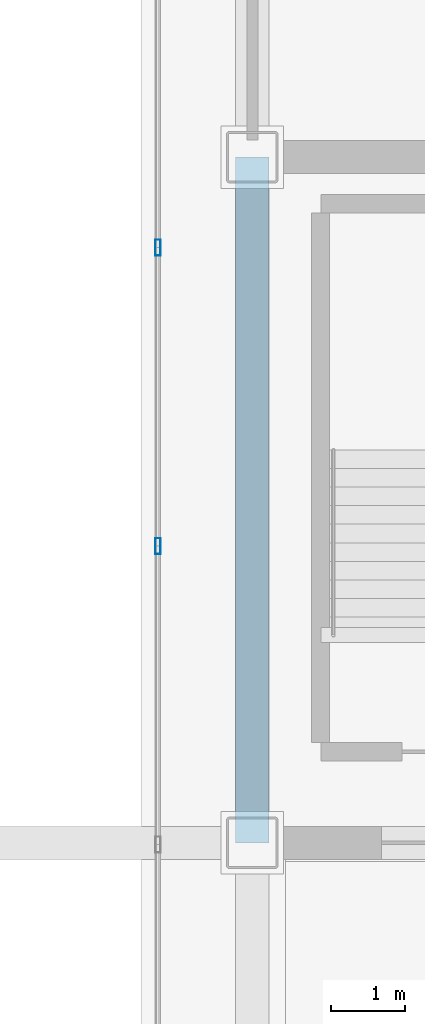
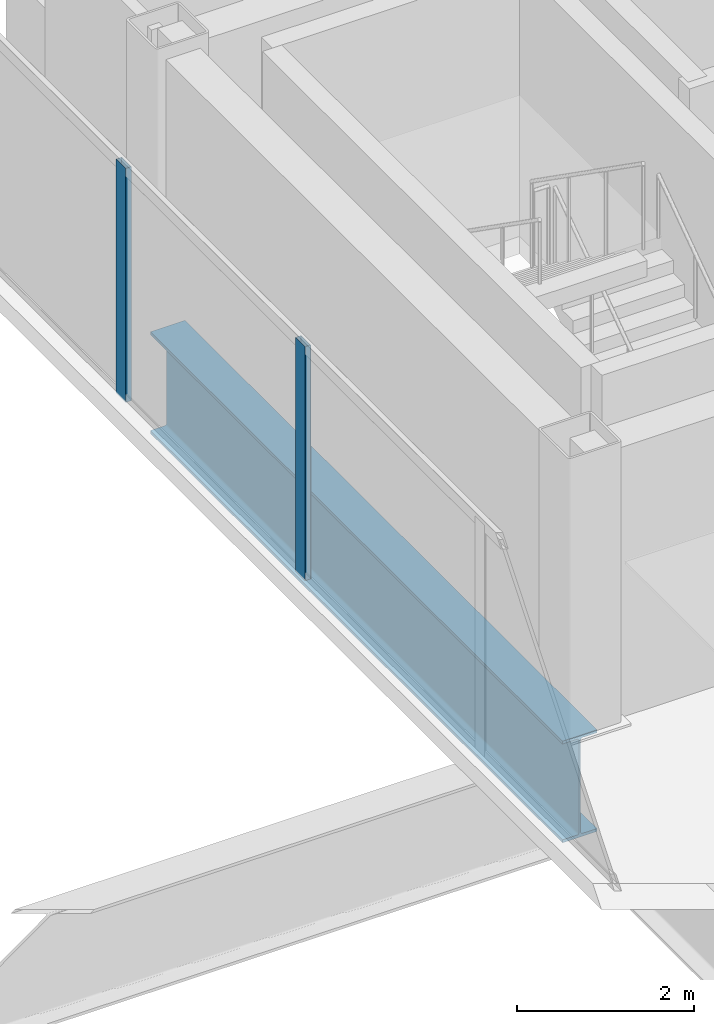
# One storey, part 9 of 17: 2 members, 1 beam, 1 element without a shape of its own.
"""IFC4 building model written with IfcOpenShell, lengths in metres."""

from ifc_helpers import new_model, si_unit, direction, frame, origin, origin_2d, place, context, subcontext, project, spatial, hollow_rectangle, i_section, extrude, material, material_profile, profile_set, type_object, element, aggregate, save


model = new_model("IFC4")

# Units and contexts
model_context = context("Model", 3, precision=1e-05, world=origin(), true_north=direction((0.0, 1.0)))
body_context = subcontext(model_context, "Body", "Model", "MODEL_VIEW")
ifc_project = project(units=[si_unit("LENGTHUNIT", "METRE"), si_unit("AREAUNIT", "SQUARE_METRE"), si_unit("VOLUMEUNIT", "CUBIC_METRE"), si_unit("PLANEANGLEUNIT", "RADIAN"), si_unit("MASSUNIT", "GRAM", prefix="KILO")], contexts=[model_context])

# Site, building, storey
site_placement = place(None, origin())
site = spatial("IfcSite", under=ifc_project, at=site_placement, CompositionType="ELEMENT")
building_placement = place(site_placement, origin())
building = spatial("IfcBuilding", under=site, at=building_placement, Name="Noeulbin Bourse Tower", CompositionType="ELEMENT")
storey_placement = place(building_placement, frame((0.0, 0.0, 281.300048828125)))
storey = spatial("IfcBuildingStorey", under=building, at=storey_placement, Name="L70", CompositionType="ELEMENT", Elevation=281.300048828125)

# Beam
ifc_material_1 = material(Name="Steel S460", Category="steel")
ifc_material_profile_1 = material_profile(ifc_material_1, i_section(OverallWidth=0.449951171875, OverallDepth=1.39990234375, WebThickness=0.02392578125, FlangeThickness=0.0400390625, FilletRadius=0.02392578125, at=origin_2d()), Name="PG-1400x450x24x40", Category="LoadBearing")
ifc_profile_set_1 = profile_set([ifc_material_profile_1], Name="Steel S460")
beam_type = type_object("IfcBeamType", Name="BM-TRF-1400", PredefinedType="USERDEFINED", material=ifc_profile_set_1)
beam_placement = place(storey_placement, frame((13.5, 29.0, -0.93994140625), z_axis=(0.0, 1.0, 0.0), x_axis=(-1.0, 0.0, 0.0)))
element("IfcBeam", 1, at=beam_placement, inside=storey, type_object=beam_type, Name="Tower Primary Girder NS L70-1.2", ObjectType="GIRDER", PredefinedType="USERDEFINED", context=body_context, shape_type="SweptSolid", body=[
    extrude(i_section(OverallWidth=0.449951171875, OverallDepth=1.39990234375, WebThickness=0.02392578125, FlangeThickness=0.0400390625, FilletRadius=0.02392578125, at=origin_2d()), origin(), (0.0, 0.0, 1.0), 9.300048828125),
])

# Curtain wall, members
ifc_material_2 = material(Name="High-Selectivity Low-Iron Glazing", Category="glass")
curtain_wall_type = type_object("IfcCurtainWallType", Name="CW-SYS-4", PredefinedType="NOTDEFINED", material=ifc_material_2)
curtain_wall_placement = place(storey_placement, origin())
curtain_wall = element("IfcCurtainWall", 2, at=curtain_wall_placement, inside=storey, type_object=curtain_wall_type, Name="Unitised Curtain Wall CW-L70-W", PredefinedType="NOTDEFINED")
ifc_material_3 = material(Name="Anodised Aluminium 6063-T6", Category="aluminium")
ifc_material_profile_2 = material_profile(ifc_material_3, hollow_rectangle(XDim=0.074951171875, YDim=0.219970703125, WallThickness=0.0048828125, InnerFilletRadius=0.00244140625, OuterFilletRadius=0.0048828125, at=origin_2d()), Name="ALU-MULL-75x220x5", Category="LoadBearing")
ifc_profile_set_2 = profile_set([ifc_material_profile_2], Name="Anodised Aluminium 6063-T6")
member_type = type_object("IfcMemberType", Name="CW-SYS-4-MUL", PredefinedType="MULLION", material=ifc_profile_set_2)
member_1_placement = place(storey_placement, frame((12.219970703125, 33.02392578125, -0.02001953125), z_axis=(0.0, 0.0, 1.0), x_axis=(1.0, 0.0, 0.0)))
member_1 = element("IfcMember", 3, at=member_1_placement, type_object=member_type, Name="Curtain Wall Mullion CW-L70-W-M03", PredefinedType="MULLION", context=body_context, shape_type="SweptSolid", body=[
    extrude(hollow_rectangle(XDim=0.074951171875, YDim=0.219970703125, WallThickness=0.0048828125, InnerFilletRadius=0.00244140625, OuterFilletRadius=0.0048828125, at=origin_2d()), origin(), (0.0, 0.0, 1.0), 3.219970703125),
])
member_2_placement = place(storey_placement, frame((12.219970703125, 37.072021484375, -0.02001953125), z_axis=(0.0, 0.0, 1.0), x_axis=(1.0, 0.0, 0.0)))
member_2 = element("IfcMember", 4, at=member_2_placement, type_object=member_type, Name="Curtain Wall Mullion CW-L70-W-M04", PredefinedType="MULLION", context=body_context, shape_type="SweptSolid", body=[
    extrude(hollow_rectangle(XDim=0.074951171875, YDim=0.219970703125, WallThickness=0.0048828125, InnerFilletRadius=0.00244140625, OuterFilletRadius=0.0048828125, at=origin_2d()), origin(), (0.0, 0.0, 1.0), 3.219970703125),
])
aggregate(curtain_wall, [member_1, member_2])

save(model, "model.ifc")
